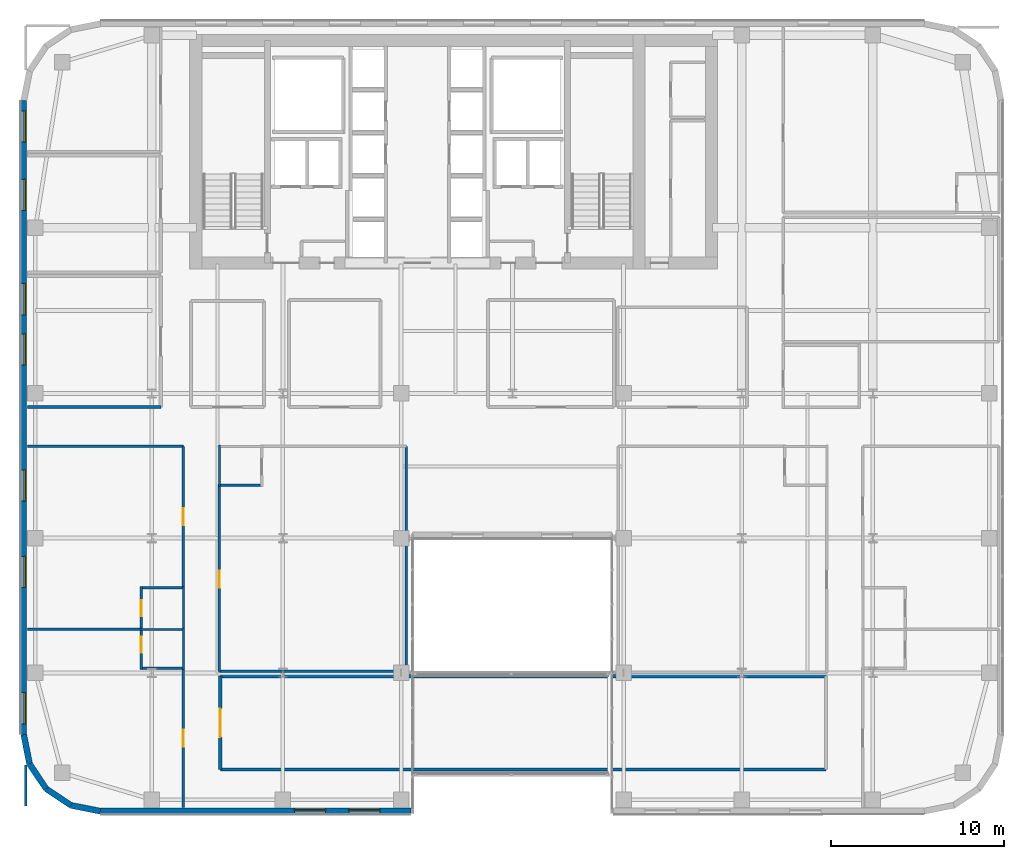
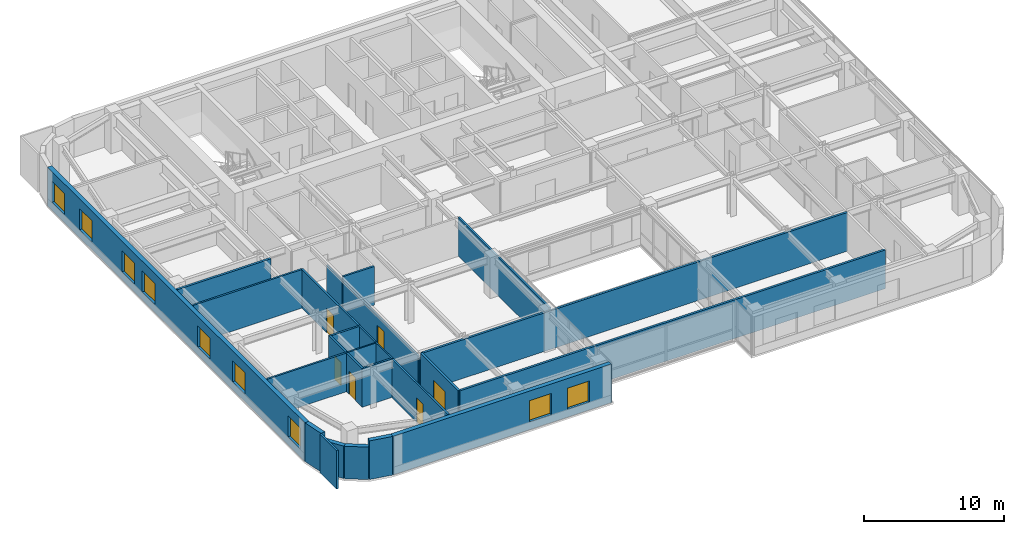
# One storey, part 21 of 31: 27 walls, 9 windows, 6 doors, 15 openings.
"""IFC4 building model written with IfcOpenShell, lengths in metres."""

from ifc_helpers import new_model, si_unit, direction, frame, frame_2d, origin, place, context, subcontext, project, spatial, rectangle, extrude, source, transform, mapped, material, layer, layer_set, type_object, type_shapes, element, fill, save


model = new_model("IFC4")

# Units and contexts
model_context = context("Model", 3, precision=1e-05, world=origin(), true_north=direction((0.0, 1.0)))
body_context = subcontext(model_context, "Body", "Model", "MODEL_VIEW")
ifc_project = project(units=[si_unit("LENGTHUNIT", "METRE"), si_unit("AREAUNIT", "SQUARE_METRE"), si_unit("VOLUMEUNIT", "CUBIC_METRE"), si_unit("PLANEANGLEUNIT", "RADIAN"), si_unit("MASSUNIT", "GRAM", prefix="KILO")], contexts=[model_context])

# Site, building, storey
site_placement = place(None, origin())
site = spatial("IfcSite", under=ifc_project, at=site_placement, CompositionType="ELEMENT")
building_placement = place(site_placement, origin())
building = spatial("IfcBuilding", under=site, at=building_placement, Name="Tolvann Quenvar Hotel", CompositionType="ELEMENT")
storey_placement = place(building_placement, frame((0.0, 0.0, 125.75)))
storey = spatial("IfcBuildingStorey", under=building, at=storey_placement, Name="L32", CompositionType="ELEMENT", Elevation=125.75)

# Walls
ifc_material_1 = material(Name="Kiln-fired red and buff architectural clay brickwork and terracotta masonry", Category="masonry")
ifc_layer_1 = layer(ifc_material_1, 0.35009765625)
ifc_layer_set_1 = layer_set([ifc_layer_1], Name="Kiln-fired red and buff architectural clay brickwork and terracotta masonry")
wall_type_1 = type_object("IfcWallType", Name="WALL_EXT_BRICK_350", PredefinedType="SOLIDWALL", material=ifc_layer_set_1)
for number, where, z_axis, x_axis, name in (
    (1, (0.514892578125, 2.907958984375, 0.0), (0.0, 0.0, 1.0), (0.55554893791, -0.831483840845, 0.0), "Exterior Chicago Brick Wall L32-E01"),
    (2, (1.473388671875, 1.473388671875, 0.0), (0.0, 0.0, 1.0), (0.831483840845, -0.55554893791, 0.0), "Exterior Chicago Brick Wall L32-E02"),
):
    element("IfcWall", number, at=place(storey_placement, frame(where, z_axis=z_axis, x_axis=x_axis)), inside=storey, type_object=wall_type_1, Name=name, PredefinedType="SOLIDWALL", context=body_context, shape_type="SweptSolid", body=[
        extrude(rectangle(XDim=1.725341796875, YDim=0.35009765625, at=frame_2d((0.86279296875, 0.0))), origin(), (0.0, 0.0, 1.0), 2.83203125),
    ])
wall_1_placement = place(storey_placement, frame((2.907958984375, 0.514892578125, 0.0), z_axis=(0.0, 0.0, 1.0), x_axis=(0.980800971659, -0.195011420161, 0.0)))
element("IfcWall", 3, at=wall_1_placement, inside=storey, type_object=wall_type_1, Name="Exterior Chicago Brick Wall L32-E03", PredefinedType="SOLIDWALL", context=body_context, shape_type="SweptSolid", body=[
    extrude(rectangle(XDim=1.74267578125, YDim=0.35009765625, at=frame_2d((0.871337890625, 0.0))), origin(), (0.0, 0.0, 1.0), 3.3701171875),
])

# Wall, openings, windows
wall_2_placement = place(storey_placement, frame((4.6171875, 0.175048828125, 0.0), z_axis=(0.0, 0.0, 1.0), x_axis=(1.0, 0.0, 0.0)))
wall_2 = element("IfcWall", 4, at=wall_2_placement, inside=storey, type_object=wall_type_1, Name="Exterior Chicago Brick Wall L32-E04", PredefinedType="SOLIDWALL", context=body_context, shape_type="SweptSolid", body=[
    extrude(rectangle(XDim=18.0078125, YDim=0.35009765625, at=frame_2d((9.00390625, 0.0))), origin(), (0.0, 0.0, 1.0), 3.3701171875),
])
opening_1_placement = place(wall_2_placement, frame((11.2548828125, 0.0, 0.679931640625)))
opening_1 = element("IfcOpeningElement", 5, at=opening_1_placement, cuts=wall_2, Name="Opening W-03", PredefinedType="OPENING", context=body_context, shape_type="SweptSolid", body=[
    extrude(rectangle(XDim=1.800048828125, YDim=1.85009765625, at=frame_2d((0.89990234375, 0.925048828125))), frame((0.0, 0.18505859375, 0.0), z_axis=(0.0, -1.0, 0.0), x_axis=(1.0, 0.0, 0.0)), (0.0, 0.0, 1.0), 0.3701171875),
])
opening_2_placement = place(wall_2_placement, frame((14.406982421875, 0.0, 0.679931640625)))
opening_2 = element("IfcOpeningElement", 6, at=opening_2_placement, cuts=wall_2, Name="Opening W-03", PredefinedType="OPENING", context=body_context, shape_type="SweptSolid", body=[
    extrude(rectangle(XDim=1.800048828125, YDim=1.85009765625, at=frame_2d((0.89990234375, 0.925048828125))), frame((0.0, 0.18505859375, 0.0), z_axis=(0.0, -1.0, 0.0), x_axis=(1.0, 0.0, 0.0)), (0.0, 0.0, 1.0), 0.3701171875),
])
ifc_material_2 = material(Name="Thermally broken bronze-anodised aluminium frame with double low-E glazing", Category="aluminium")
window_type = type_object("IfcWindowType", Name="WIN_CHI_1800x2050", PartitioningType="TRIPLE_PANEL_HORIZONTAL", PredefinedType="WINDOW", material=ifc_material_2)
shared_shape_1 = source(origin(), body_context, "Body", "SweptSolid", [
    extrude(rectangle(XDim=1.800048828125, YDim=1.85009765625, at=frame_2d((0.89990234375, 0.925048828125))), frame((0.0, 0.090087890625, 0.0), z_axis=(0.0, -1.0, 0.0), x_axis=(1.0, 0.0, 0.0)), (0.0, 0.0, 1.0), 0.06005859375),
])
type_shapes(window_type, [shared_shape_1])
window_1_placement = place(opening_1_placement, origin())
window_1 = element("IfcWindow", 7, at=window_1_placement, inside=storey, type_object=window_type, Name="Chicago Window W-03 (EW-L32-E04-W01)", OverallHeight=1.85009765625, OverallWidth=1.800048828125, PartitioningType="TRIPLE_PANEL_HORIZONTAL", PredefinedType="WINDOW", context=body_context, shape_type="MappedRepresentation", body=[
    mapped(shared_shape_1, transform((0.0, 0.0, 0.0), x_axis=(1.0, 0.0, 0.0), y_axis=(0.0, 1.0, 0.0), z_axis=(0.0, 0.0, 1.0), scale=1.0)),
])
fill(opening_1, window_1)
window_2_placement = place(opening_2_placement, origin())
window_2 = element("IfcWindow", 8, at=window_2_placement, inside=storey, type_object=window_type, Name="Chicago Window W-03 (EW-L32-E04-W02)", OverallHeight=1.85009765625, OverallWidth=1.800048828125, PartitioningType="TRIPLE_PANEL_HORIZONTAL", PredefinedType="WINDOW", context=body_context, shape_type="MappedRepresentation", body=[
    mapped(shared_shape_1, transform((0.0, 0.0, 0.0), x_axis=(1.0, 0.0, 0.0), y_axis=(0.0, 1.0, 0.0), z_axis=(0.0, 0.0, 1.0), scale=1.0)),
])
fill(opening_2, window_2)

wall_3_placement = place(storey_placement, frame((0.175048828125, 41.3828125, 0.0), z_axis=(0.0, 0.0, 1.0), x_axis=(0.0, -1.0, 0.0)))
wall_3 = element("IfcWall", 9, at=wall_3_placement, inside=storey, type_object=wall_type_1, Name="Exterior Chicago Brick Wall L32-E23", PredefinedType="SOLIDWALL", context=body_context, shape_type="SweptSolid", body=[
    extrude(rectangle(XDim=36.765625, YDim=0.35009765625, at=frame_2d((18.3828125, 0.0))), origin(), (0.0, 0.0, 1.0), 3.3701171875),
])
opening_3_placement = place(wall_3_placement, frame((0.6259765625, 0.0, 0.679931640625)))
opening_3 = element("IfcOpeningElement", 10, at=opening_3_placement, cuts=wall_3, Name="Opening W-03", PredefinedType="OPENING", context=body_context, shape_type="SweptSolid", body=[
    extrude(rectangle(XDim=1.800048828125, YDim=1.85009765625, at=frame_2d((0.89990234375, 0.925048828125))), frame((0.0, 0.18505859375, 0.0), z_axis=(0.0, -1.0, 0.0), x_axis=(1.0, 0.0, 0.0)), (0.0, 0.0, 1.0), 0.3701171875),
])
opening_4_placement = place(wall_3_placement, frame((4.577880859375, 0.0, 0.679931640625)))
opening_4 = element("IfcOpeningElement", 11, at=opening_4_placement, cuts=wall_3, Name="Opening W-03", PredefinedType="OPENING", context=body_context, shape_type="SweptSolid", body=[
    extrude(rectangle(XDim=1.800048828125, YDim=1.85009765625, at=frame_2d((0.89990234375, 0.925048828125))), frame((0.0, 0.18505859375, 0.0), z_axis=(0.0, -1.0, 0.0), x_axis=(1.0, 0.0, 0.0)), (0.0, 0.0, 1.0), 0.3701171875),
])
opening_5_placement = place(wall_3_placement, frame((10.62890625, 0.0, 0.679931640625)))
opening_5 = element("IfcOpeningElement", 12, at=opening_5_placement, cuts=wall_3, Name="Opening W-03", PredefinedType="OPENING", context=body_context, shape_type="SweptSolid", body=[
    extrude(rectangle(XDim=1.800048828125, YDim=1.85009765625, at=frame_2d((0.89990234375, 0.925048828125))), frame((0.0, 0.18505859375, 0.0), z_axis=(0.0, -1.0, 0.0), x_axis=(1.0, 0.0, 0.0)), (0.0, 0.0, 1.0), 0.3701171875),
])
opening_6_placement = place(wall_3_placement, frame((13.531005859375, 0.0, 0.679931640625)))
opening_6 = element("IfcOpeningElement", 13, at=opening_6_placement, cuts=wall_3, Name="Opening W-03", PredefinedType="OPENING", context=body_context, shape_type="SweptSolid", body=[
    extrude(rectangle(XDim=1.800048828125, YDim=1.85009765625, at=frame_2d((0.89990234375, 0.925048828125))), frame((0.0, 0.18505859375, 0.0), z_axis=(0.0, -1.0, 0.0), x_axis=(1.0, 0.0, 0.0)), (0.0, 0.0, 1.0), 0.3701171875),
])
opening_7_placement = place(wall_3_placement, frame((21.43505859375, 0.0, 0.679931640625)))
opening_7 = element("IfcOpeningElement", 14, at=opening_7_placement, cuts=wall_3, Name="Opening W-03", PredefinedType="OPENING", context=body_context, shape_type="SweptSolid", body=[
    extrude(rectangle(XDim=1.800048828125, YDim=1.85009765625, at=frame_2d((0.89990234375, 0.925048828125))), frame((0.0, 0.18505859375, 0.0), z_axis=(0.0, -1.0, 0.0), x_axis=(1.0, 0.0, 0.0)), (0.0, 0.0, 1.0), 0.3701171875),
])
opening_8_placement = place(wall_3_placement, frame((26.43603515625, 0.0, 0.679931640625)))
opening_8 = element("IfcOpeningElement", 15, at=opening_8_placement, cuts=wall_3, Name="Opening W-03", PredefinedType="OPENING", context=body_context, shape_type="SweptSolid", body=[
    extrude(rectangle(XDim=1.800048828125, YDim=1.85009765625, at=frame_2d((0.89990234375, 0.925048828125))), frame((0.0, 0.18505859375, 0.0), z_axis=(0.0, -1.0, 0.0), x_axis=(1.0, 0.0, 0.0)), (0.0, 0.0, 1.0), 0.3701171875),
])
opening_9_placement = place(wall_3_placement, frame((34.340087890625, 0.0, 0.679931640625)))
opening_9 = element("IfcOpeningElement", 16, at=opening_9_placement, cuts=wall_3, Name="Opening W-03", PredefinedType="OPENING", context=body_context, shape_type="SweptSolid", body=[
    extrude(rectangle(XDim=1.800048828125, YDim=1.85009765625, at=frame_2d((0.89990234375, 0.925048828125))), frame((0.0, 0.18505859375, 0.0), z_axis=(0.0, -1.0, 0.0), x_axis=(1.0, 0.0, 0.0)), (0.0, 0.0, 1.0), 0.3701171875),
])
window_3_placement = place(opening_3_placement, origin())
window_3 = element("IfcWindow", 17, at=window_3_placement, inside=storey, type_object=window_type, Name="Chicago Window W-03 (EW-L32-E23-W01)", OverallHeight=1.85009765625, OverallWidth=1.800048828125, PartitioningType="TRIPLE_PANEL_HORIZONTAL", PredefinedType="WINDOW", context=body_context, shape_type="MappedRepresentation", body=[
    mapped(shared_shape_1, transform((0.0, 0.0, 0.0), x_axis=(1.0, 0.0, 0.0), y_axis=(0.0, 1.0, 0.0), z_axis=(0.0, 0.0, 1.0), scale=1.0)),
])
fill(opening_3, window_3)
window_4_placement = place(opening_4_placement, origin())
window_4 = element("IfcWindow", 18, at=window_4_placement, inside=storey, type_object=window_type, Name="Chicago Window W-03 (EW-L32-E23-W02)", OverallHeight=1.85009765625, OverallWidth=1.800048828125, PartitioningType="TRIPLE_PANEL_HORIZONTAL", PredefinedType="WINDOW", context=body_context, shape_type="MappedRepresentation", body=[
    mapped(shared_shape_1, transform((0.0, 0.0, 0.0), x_axis=(1.0, 0.0, 0.0), y_axis=(0.0, 1.0, 0.0), z_axis=(0.0, 0.0, 1.0), scale=1.0)),
])
fill(opening_4, window_4)
window_5_placement = place(opening_5_placement, origin())
window_5 = element("IfcWindow", 19, at=window_5_placement, inside=storey, type_object=window_type, Name="Chicago Window W-03 (EW-L32-E23-W03)", OverallHeight=1.85009765625, OverallWidth=1.800048828125, PartitioningType="TRIPLE_PANEL_HORIZONTAL", PredefinedType="WINDOW", context=body_context, shape_type="MappedRepresentation", body=[
    mapped(shared_shape_1, transform((0.0, 0.0, 0.0), x_axis=(1.0, 0.0, 0.0), y_axis=(0.0, 1.0, 0.0), z_axis=(0.0, 0.0, 1.0), scale=1.0)),
])
fill(opening_5, window_5)
window_6_placement = place(opening_6_placement, origin())
window_6 = element("IfcWindow", 20, at=window_6_placement, inside=storey, type_object=window_type, Name="Chicago Window W-03 (EW-L32-E23-W04)", OverallHeight=1.85009765625, OverallWidth=1.800048828125, PartitioningType="TRIPLE_PANEL_HORIZONTAL", PredefinedType="WINDOW", context=body_context, shape_type="MappedRepresentation", body=[
    mapped(shared_shape_1, transform((0.0, 0.0, 0.0), x_axis=(1.0, 0.0, 0.0), y_axis=(0.0, 1.0, 0.0), z_axis=(0.0, 0.0, 1.0), scale=1.0)),
])
fill(opening_6, window_6)
window_7_placement = place(opening_7_placement, origin())
window_7 = element("IfcWindow", 21, at=window_7_placement, inside=storey, type_object=window_type, Name="Chicago Window W-03 (EW-L32-E23-W05)", OverallHeight=1.85009765625, OverallWidth=1.800048828125, PartitioningType="TRIPLE_PANEL_HORIZONTAL", PredefinedType="WINDOW", context=body_context, shape_type="MappedRepresentation", body=[
    mapped(shared_shape_1, transform((0.0, 0.0, 0.0), x_axis=(1.0, 0.0, 0.0), y_axis=(0.0, 1.0, 0.0), z_axis=(0.0, 0.0, 1.0), scale=1.0)),
])
fill(opening_7, window_7)
window_8_placement = place(opening_8_placement, origin())
window_8 = element("IfcWindow", 22, at=window_8_placement, inside=storey, type_object=window_type, Name="Chicago Window W-03 (EW-L32-E23-W06)", OverallHeight=1.85009765625, OverallWidth=1.800048828125, PartitioningType="TRIPLE_PANEL_HORIZONTAL", PredefinedType="WINDOW", context=body_context, shape_type="MappedRepresentation", body=[
    mapped(shared_shape_1, transform((0.0, 0.0, 0.0), x_axis=(1.0, 0.0, 0.0), y_axis=(0.0, 1.0, 0.0), z_axis=(0.0, 0.0, 1.0), scale=1.0)),
])
fill(opening_8, window_8)
window_9_placement = place(opening_9_placement, origin())
window_9 = element("IfcWindow", 23, at=window_9_placement, inside=storey, type_object=window_type, Name="Chicago Window W-03 (EW-L32-E23-W07)", OverallHeight=1.85009765625, OverallWidth=1.800048828125, PartitioningType="TRIPLE_PANEL_HORIZONTAL", PredefinedType="WINDOW", context=body_context, shape_type="MappedRepresentation", body=[
    mapped(shared_shape_1, transform((0.0, 0.0, 0.0), x_axis=(1.0, 0.0, 0.0), y_axis=(0.0, 1.0, 0.0), z_axis=(0.0, 0.0, 1.0), scale=1.0)),
])
fill(opening_9, window_9)

# Walls
wall_4_placement = place(storey_placement, frame((0.175048828125, 4.6171875, 0.0), z_axis=(0.0, 0.0, 1.0), x_axis=(0.195011420161, -0.980800971659, 0.0)))
element("IfcWall", 24, at=wall_4_placement, inside=storey, type_object=wall_type_1, Name="Exterior Chicago Brick Wall L32-E24", PredefinedType="SOLIDWALL", context=body_context, shape_type="SweptSolid", body=[
    extrude(rectangle(XDim=1.74267578125, YDim=0.35009765625, at=frame_2d((0.871337890625, 0.0))), origin(), (0.0, 0.0, 1.0), 3.3701171875),
])
ifc_material_3 = material(Name="Acoustic twin-stud fire-rated gypsum plasterboard partition")
ifc_layer_2 = layer(ifc_material_3, 0.179931640625)
ifc_layer_set_2 = layer_set([ifc_layer_2], Name="Acoustic twin-stud fire-rated gypsum plasterboard partition")
wall_type_2 = type_object("IfcWallType", Name="WALL_PART_ACOUSTIC_180", PredefinedType="PARTITIONING", material=ifc_layer_set_2)
wall_5_placement = place(storey_placement, frame((0.405029296875, 23.60009765625, 0.0), z_axis=(0.0, 0.0, 1.0), x_axis=(1.0, 0.0, 0.0)))
element("IfcWall", 25, at=wall_5_placement, inside=storey, type_object=wall_type_2, Name="Interior Partition PT-SPC-L32-SAL-S", PredefinedType="PARTITIONING", context=body_context, shape_type="SweptSolid", body=[
    extrude(rectangle(XDim=7.715087890625, YDim=0.179931640625, at=frame_2d((3.857421875, 0.0))), origin(), (0.0, 0.0, 1.0), 3.3701171875),
])
for number, where, z_axis, x_axis, name in (
    (26, (11.570068359375, 2.60009765625, 0.0), (0.0, 0.0, 1.0), (1.0, 0.0, 0.0), "Interior Partition PT-SPC-L32-BRG-S"),
    (27, (11.570068359375, 8.0, 0.0), (0.0, 0.0, 1.0), (1.0, 0.0, 0.0), "Interior Partition PT-SPC-L32-BRG-N"),
):
    element("IfcWall", number, at=place(storey_placement, frame(where, z_axis=z_axis, x_axis=x_axis)), inside=storey, type_object=wall_type_2, Name=name, PredefinedType="PARTITIONING", context=body_context, shape_type="SweptSolid", body=[
        extrude(rectangle(XDim=35.10986328125, YDim=0.179931640625, at=frame_2d((17.554931640625, 0.0))), origin(), (0.0, 0.0, 1.0), 3.3701171875),
    ])

# Wall, opening, door
wall_6_placement = place(storey_placement, frame((11.570068359375, 2.60009765625, 0.0), z_axis=(0.0, 0.0, 1.0), x_axis=(0.0, 1.0, 0.0)))
wall_6 = element("IfcWall", 28, at=wall_6_placement, inside=storey, type_object=wall_type_2, Name="Interior Partition PT-SPC-L32-BRG-W", PredefinedType="PARTITIONING", context=body_context, shape_type="SweptSolid", body=[
    extrude(rectangle(XDim=5.39990234375, YDim=0.179931640625, at=frame_2d((2.699951171875, 0.0))), origin(), (0.0, 0.0, 1.0), 3.3701171875),
])
opening_10_placement = place(wall_6_placement, frame((1.875, 0.0, 0.0)))
opening_10 = element("IfcOpeningElement", 29, at=opening_10_placement, cuts=wall_6, Name="Opening AD-01", PredefinedType="OPENING", context=body_context, shape_type="SweptSolid", body=[
    extrude(rectangle(XDim=1.64990234375, YDim=2.14990234375, at=frame_2d((0.824951171875, 1.074951171875))), frame((0.0, 0.10009765625, 0.0), z_axis=(0.0, -1.0, 0.0), x_axis=(1.0, 0.0, 0.0)), (0.0, 0.0, 1.0), 0.199951171875),
])
ifc_material_4 = material(Name="Solid-core American oak acoustic fire door leaf in steel frame", Category="steel")
door_type_1 = type_object("IfcDoorType", Name="DOOR_SALON_1650", OperationType="NOTDEFINED", PredefinedType="DOOR", material=ifc_material_4)
shared_shape_2 = source(origin(), body_context, "Body", "SweptSolid", [
    extrude(rectangle(XDim=1.64990234375, YDim=2.14990234375, at=frame_2d((0.824951171875, 1.074951171875))), frame((0.0, 0.02490234375, 0.0), z_axis=(0.0, -1.0, 0.0), x_axis=(1.0, 0.0, 0.0)), (0.0, 0.0, 1.0), 0.050048828125),
])
type_shapes(door_type_1, [shared_shape_2])
door_1_placement = place(opening_10_placement, origin())
door_1 = element("IfcDoor", 30, at=door_1_placement, inside=storey, type_object=door_type_1, Name="Interior Door DOOR-SPC-L32-BRG", OperationType="DOUBLE_DOOR_SINGLE_SWING", OverallHeight=2.14990234375, OverallWidth=1.64990234375, PredefinedType="DOOR", context=body_context, shape_type="MappedRepresentation", body=[
    mapped(shared_shape_2, transform((0.0, 0.0, 0.0), x_axis=(1.0, 0.0, 0.0), y_axis=(0.0, 1.0, 0.0), z_axis=(0.0, 0.0, 1.0), scale=1.0)),
])
fill(opening_10, door_1)

# Walls
ifc_material_5 = material(Name="Moisture-resistant acoustic plumbing wall assembly")
ifc_layer_3 = layer(ifc_material_5, 0.1201171875)
ifc_layer_set_3 = layer_set([ifc_layer_3], Name="Moisture-resistant acoustic plumbing wall assembly")
wall_type_3 = type_object("IfcWallType", Name="WALL_PART_BATH_120", PredefinedType="PLUMBINGWALL", material=ifc_layer_set_3)
wall_7_placement = place(storey_placement, frame((6.909912109375, 10.719970703125, 0.0), z_axis=(0.0, 0.0, 1.0), x_axis=(1.0, 0.0, 0.0)))
element("IfcWall", 31, at=wall_7_placement, inside=storey, type_object=wall_type_3, Name="Non-Rated Plumbing Partition PT-SPC-L32-ENS-WO01-N", PredefinedType="PLUMBINGWALL", context=body_context, shape_type="SweptSolid", body=[
    extrude(rectangle(XDim=2.590087890625, YDim=0.1201171875, at=frame_2d((1.294921875, 0.0))), origin(), (0.0, 0.0, 1.0), 3.3701171875),
])
wall_8_placement = place(storey_placement, frame((9.429931640625, 8.39990234375, 0.0), z_axis=(0.0, 0.0, 1.0), x_axis=(0.0, 1.0, 0.0)))
element("IfcWall", 32, at=wall_8_placement, inside=storey, type_object=wall_type_3, Name="Non-Rated Plumbing Partition PT-SPC-L32-ENS-WO01-E", PredefinedType="PLUMBINGWALL", context=body_context, shape_type="SweptSolid", body=[
    extrude(rectangle(XDim=2.39013671875, YDim=0.1201171875, at=frame_2d((1.195068359375, 0.0))), origin(), (0.0, 0.0, 1.0), 3.3701171875),
])
wall_9_placement = place(storey_placement, frame((9.429931640625, 10.81005859375, 0.0), z_axis=(0.0, 0.0, 1.0), x_axis=(0.0, 1.0, 0.0)))
element("IfcWall", 33, at=wall_9_placement, inside=storey, type_object=wall_type_3, Name="Non-Rated Plumbing Partition PT-SPC-L32-ENS-WO02-E", PredefinedType="PLUMBINGWALL", context=body_context, shape_type="SweptSolid", body=[
    extrude(rectangle(XDim=2.389892578125, YDim=0.1201171875, at=frame_2d((1.19482421875, 0.0))), origin(), (0.0, 0.0, 1.0), 3.3701171875),
])
wall_10_placement = place(storey_placement, frame((11.52001953125, 19.0, 0.0), z_axis=(0.0, 0.0, 1.0), x_axis=(0.0, 1.0, 0.0)))
element("IfcWall", 34, at=wall_10_placement, inside=storey, type_object=wall_type_3, Name="Non-Rated Plumbing Partition PT-SPC-L32-ENS-WI01-W", PredefinedType="PLUMBINGWALL", context=body_context, shape_type="SweptSolid", body=[
    extrude(rectangle(XDim=2.389892578125, YDim=0.1201171875, at=frame_2d((1.19482421875, 0.0))), origin(), (0.0, 0.0, 1.0), 2.9541015625),
])

# Wall, opening, door
ifc_layer_4 = layer(ifc_material_3, 0.14990234375)
ifc_layer_set_4 = layer_set([ifc_layer_4], Name="Acoustic twin-stud fire-rated gypsum plasterboard partition")
wall_type_4 = type_object("IfcWallType", Name="WALL_PART_SUITE_150", PredefinedType="PARTITIONING", material=ifc_layer_set_4)
wall_11_placement = place(storey_placement, frame((6.97998046875, 8.39990234375, 0.0), z_axis=(0.0, 0.0, 1.0), x_axis=(0.0, 1.0, 0.0)))
wall_11 = element("IfcWall", 35, at=wall_11_placement, inside=storey, type_object=wall_type_4, Name="Interior Partition PT-SPC-L32-ENS-WO01-ENT", PredefinedType="PARTITIONING", context=body_context, shape_type="SweptSolid", body=[
    extrude(rectangle(XDim=2.39013671875, YDim=0.14990234375, at=frame_2d((1.195068359375, 0.0))), origin(), (0.0, 0.0, 1.0), 3.3701171875),
])
opening_11_placement = place(wall_11_placement, frame((0.965087890625, 0.0, 0.0)))
opening_11 = element("IfcOpeningElement", 36, at=opening_11_placement, cuts=wall_11, Name="Opening WD-01", PredefinedType="OPENING", context=body_context, shape_type="SweptSolid", body=[
    extrude(rectangle(XDim=0.919921875, YDim=2.010009765625, at=frame_2d((0.4599609375, 1.0048828125))), frame((0.0, 0.0849609375, 0.0), z_axis=(0.0, -1.0, 0.0), x_axis=(1.0, 0.0, 0.0)), (0.0, 0.0, 1.0), 0.169921875),
])
door_type_2 = type_object("IfcDoorType", Name="DOOR_WC_920", OperationType="NOTDEFINED", PredefinedType="DOOR", material=ifc_material_4)
shared_shape_3 = source(origin(), body_context, "Body", "SweptSolid", [
    extrude(rectangle(XDim=0.919921875, YDim=2.010009765625, at=frame_2d((0.4599609375, 1.0048828125))), frame((0.0, 0.02490234375, 0.0), z_axis=(0.0, -1.0, 0.0), x_axis=(1.0, 0.0, 0.0)), (0.0, 0.0, 1.0), 0.050048828125),
])
type_shapes(door_type_2, [shared_shape_3])
door_2_placement = place(opening_11_placement, origin())
door_2 = element("IfcDoor", 37, at=door_2_placement, inside=storey, type_object=door_type_2, Name="Interior Door DOOR-SPC-L32-ENS-WO01", OperationType="SINGLE_SWING_LEFT", OverallHeight=2.010009765625, OverallWidth=0.919921875, PredefinedType="DOOR", context=body_context, shape_type="MappedRepresentation", body=[
    mapped(shared_shape_3, transform((0.0, 0.0, 0.0), x_axis=(1.0, 0.0, 0.0), y_axis=(0.0, 1.0, 0.0), z_axis=(0.0, 0.0, 1.0), scale=1.0)),
])
fill(opening_11, door_2)

# Wall
wall_12_placement = place(storey_placement, frame((6.909912109375, 8.469970703125, 0.0), z_axis=(0.0, 0.0, 1.0), x_axis=(1.0, 0.0, 0.0)))
element("IfcWall", 38, at=wall_12_placement, inside=storey, type_object=wall_type_4, Name="Interior Partition PT-SPC-L32-ENS-WO01-S", PredefinedType="PARTITIONING", context=body_context, shape_type="SweptSolid", body=[
    extrude(rectangle(XDim=2.590087890625, YDim=0.14990234375, at=frame_2d((1.294921875, 0.0))), origin(), (0.0, 0.0, 1.0), 3.3701171875),
])

# Wall, opening, door
wall_13_placement = place(storey_placement, frame((6.97998046875, 10.81005859375, 0.0), z_axis=(0.0, 0.0, 1.0), x_axis=(0.0, 1.0, 0.0)))
wall_13 = element("IfcWall", 39, at=wall_13_placement, inside=storey, type_object=wall_type_4, Name="Interior Partition PT-SPC-L32-ENS-WO02-ENT", PredefinedType="PARTITIONING", context=body_context, shape_type="SweptSolid", body=[
    extrude(rectangle(XDim=2.389892578125, YDim=0.14990234375, at=frame_2d((1.19482421875, 0.0))), origin(), (0.0, 0.0, 1.0), 3.3701171875),
])
opening_12_placement = place(wall_13_placement, frame((0.6650390625, 0.0, 0.0)))
opening_12 = element("IfcOpeningElement", 40, at=opening_12_placement, cuts=wall_13, Name="Opening WD-01", PredefinedType="OPENING", context=body_context, shape_type="SweptSolid", body=[
    extrude(rectangle(XDim=0.919921875, YDim=2.010009765625, at=frame_2d((0.4599609375, 1.0048828125))), frame((0.0, 0.0849609375, 0.0), z_axis=(0.0, -1.0, 0.0), x_axis=(1.0, 0.0, 0.0)), (0.0, 0.0, 1.0), 0.169921875),
])
door_3_placement = place(opening_12_placement, origin())
door_3 = element("IfcDoor", 41, at=door_3_placement, inside=storey, type_object=door_type_2, Name="Interior Door DOOR-SPC-L32-ENS-WO02", OperationType="SINGLE_SWING_RIGHT", OverallHeight=2.010009765625, OverallWidth=0.919921875, PredefinedType="DOOR", context=body_context, shape_type="MappedRepresentation", body=[
    mapped(shared_shape_3, transform((0.0, 0.0, 0.0), x_axis=(1.0, 0.0, 0.0), y_axis=(0.0, 1.0, 0.0), z_axis=(0.0, 0.0, 1.0), scale=1.0)),
])
fill(opening_12, door_3)

# Walls
for number, where, z_axis, x_axis, name in (
    (42, (6.909912109375, 13.1298828125, 0.0), (0.0, 0.0, 1.0), (1.0, 0.0, 0.0), "Interior Partition PT-SPC-L32-ENS-WO02-N"),
    (43, (11.449951171875, 19.070068359375, 0.0), (0.0, 0.0, 1.0), (1.0, 0.0, 0.0), "Interior Partition PT-SPC-L32-ENS-WI01-S"),
):
    element("IfcWall", number, at=place(storey_placement, frame(where, z_axis=z_axis, x_axis=x_axis)), inside=storey, type_object=wall_type_4, Name=name, PredefinedType="PARTITIONING", context=body_context, shape_type="SweptSolid", body=[
        extrude(rectangle(XDim=2.590087890625, YDim=0.14990234375, at=frame_2d((1.294921875, 0.0))), origin(), (0.0, 0.0, 1.0), 3.3701171875),
    ])

# Wall, opening, door
wall_14_placement = place(storey_placement, frame((9.429931640625, 0.405029296875, 0.0), z_axis=(0.0, 0.0, 1.0), x_axis=(0.0, 1.0, 0.0)))
wall_14 = element("IfcWall", 44, at=wall_14_placement, inside=storey, type_object=wall_type_4, Name="Interior Partition PT-SPC-L32-RM-WO01-ENT", PredefinedType="PARTITIONING", context=body_context, shape_type="SweptSolid", body=[
    extrude(rectangle(XDim=7.98486328125, YDim=0.14990234375, at=frame_2d((3.992431640625, 0.0))), origin(), (0.0, 0.0, 1.0), 3.3701171875),
])
opening_13_placement = place(wall_14_placement, frame((3.510009765625, 0.0, 0.0)))
opening_13 = element("IfcOpeningElement", 45, at=opening_13_placement, cuts=wall_14, Name="Opening SD-01", PredefinedType="OPENING", context=body_context, shape_type="SweptSolid", body=[
    extrude(rectangle(XDim=0.97998046875, YDim=2.1201171875, at=frame_2d((0.489990234375, 1.06005859375))), frame((0.0, 0.0849609375, 0.0), z_axis=(0.0, -1.0, 0.0), x_axis=(1.0, 0.0, 0.0)), (0.0, 0.0, 1.0), 0.169921875),
])
door_type_3 = type_object("IfcDoorType", Name="DOOR_SUITE_980", OperationType="NOTDEFINED", PredefinedType="DOOR", material=ifc_material_4)
shared_shape_4 = source(origin(), body_context, "Body", "SweptSolid", [
    extrude(rectangle(XDim=0.97998046875, YDim=2.1201171875, at=frame_2d((0.489990234375, 1.06005859375))), frame((0.0, 0.02490234375, 0.0), z_axis=(0.0, -1.0, 0.0), x_axis=(1.0, 0.0, 0.0)), (0.0, 0.0, 1.0), 0.050048828125),
])
type_shapes(door_type_3, [shared_shape_4])
door_4_placement = place(opening_13_placement, origin())
door_4 = element("IfcDoor", 46, at=door_4_placement, inside=storey, type_object=door_type_3, Name="Interior Door DOOR-SPC-L32-RM-WO01", OperationType="SINGLE_SWING_RIGHT", OverallHeight=2.1201171875, OverallWidth=0.97998046875, PredefinedType="DOOR", context=body_context, shape_type="MappedRepresentation", body=[
    mapped(shared_shape_4, transform((0.0, 0.0, 0.0), x_axis=(1.0, 0.0, 0.0), y_axis=(0.0, 1.0, 0.0), z_axis=(0.0, 0.0, 1.0), scale=1.0)),
])
fill(opening_13, door_4)

# Walls
wall_15_placement = place(storey_placement, frame((0.405029296875, 10.719970703125, 0.0), z_axis=(0.0, 0.0, 1.0), x_axis=(1.0, 0.0, 0.0)))
element("IfcWall", 47, at=wall_15_placement, inside=storey, type_object=wall_type_4, Name="Interior Partition PT-SPC-L32-RM-WO01-E5", PredefinedType="PARTITIONING", context=body_context, shape_type="SweptSolid", body=[
    extrude(rectangle(XDim=6.554931640625, YDim=0.14990234375, at=frame_2d((3.27734375, 0.0))), origin(), (0.0, 0.0, 1.0), 3.3701171875),
])
wall_16_placement = place(storey_placement, frame((0.300048828125, 0.47998046875, 0.0), z_axis=(0.0, 0.0, 1.0), x_axis=(0.0, 1.0, 0.0)))
element("IfcWall", 48, at=wall_16_placement, inside=storey, type_object=wall_type_4, Name="Interior Partition PT-SPC-L32-RM-WO01-E6", PredefinedType="PARTITIONING", context=body_context, shape_type="SweptSolid", body=[
    extrude(rectangle(XDim=2.385009765625, YDim=0.14990234375, at=frame_2d((1.1923828125, 0.0))), origin(), (0.0, 0.0, 1.0), 3.3701171875),
])

# Wall, opening, door
wall_17_placement = place(storey_placement, frame((9.429931640625, 13.2099609375, 0.0), z_axis=(0.0, 0.0, 1.0), x_axis=(0.0, 1.0, 0.0)))
wall_17 = element("IfcWall", 49, at=wall_17_placement, inside=storey, type_object=wall_type_4, Name="Interior Partition PT-SPC-L32-RM-WO02-ENT", PredefinedType="PARTITIONING", context=body_context, shape_type="SweptSolid", body=[
    extrude(rectangle(XDim=8.110107421875, YDim=0.14990234375, at=frame_2d((4.05517578125, 0.0))), origin(), (0.0, 0.0, 1.0), 3.3701171875),
])
opening_14_placement = place(wall_17_placement, frame((3.544921875, 0.0, 0.0)))
opening_14 = element("IfcOpeningElement", 50, at=opening_14_placement, cuts=wall_17, Name="Opening SD-01", PredefinedType="OPENING", context=body_context, shape_type="SweptSolid", body=[
    extrude(rectangle(XDim=0.97998046875, YDim=2.1201171875, at=frame_2d((0.489990234375, 1.06005859375))), frame((0.0, 0.0849609375, 0.0), z_axis=(0.0, -1.0, 0.0), x_axis=(1.0, 0.0, 0.0)), (0.0, 0.0, 1.0), 0.169921875),
])
door_5_placement = place(opening_14_placement, origin())
door_5 = element("IfcDoor", 51, at=door_5_placement, inside=storey, type_object=door_type_3, Name="Interior Door DOOR-SPC-L32-RM-WO02", OperationType="SINGLE_SWING_LEFT", OverallHeight=2.1201171875, OverallWidth=0.97998046875, PredefinedType="DOOR", context=body_context, shape_type="MappedRepresentation", body=[
    mapped(shared_shape_4, transform((0.0, 0.0, 0.0), x_axis=(1.0, 0.0, 0.0), y_axis=(0.0, 1.0, 0.0), z_axis=(0.0, 0.0, 1.0), scale=1.0)),
])
fill(opening_14, door_5)

# Wall
wall_18_placement = place(storey_placement, frame((0.405029296875, 21.320068359375, 0.0), z_axis=(0.0, 0.0, 1.0), x_axis=(1.0, 0.0, 0.0)))
element("IfcWall", 52, at=wall_18_placement, inside=storey, type_object=wall_type_4, Name="Interior Partition PT-SPC-L32-RM-WO02-E5", PredefinedType="PARTITIONING", context=body_context, shape_type="SweptSolid", body=[
    extrude(rectangle(XDim=9.02490234375, YDim=0.14990234375, at=frame_2d((4.512451171875, 0.0))), origin(), (0.0, 0.0, 1.0), 3.3701171875),
])

# Wall, opening, door
wall_19_placement = place(storey_placement, frame((11.52001953125, 8.280029296875, 0.0), z_axis=(0.0, 0.0, 1.0), x_axis=(0.0, 1.0, 0.0)))
wall_19 = element("IfcWall", 53, at=wall_19_placement, inside=storey, type_object=wall_type_4, Name="Interior Partition PT-SPC-L32-RM-WI01-ENT", PredefinedType="PARTITIONING", context=body_context, shape_type="SweptSolid", body=[
    extrude(rectangle(XDim=10.7099609375, YDim=0.14990234375, at=frame_2d((5.35498046875, 0.0))), origin(), (0.0, 0.0, 1.0), 2.9541015625),
])
opening_15_placement = place(wall_19_placement, frame((4.844970703125, 0.0, 0.0)))
opening_15 = element("IfcOpeningElement", 54, at=opening_15_placement, cuts=wall_19, Name="Opening SD-01", PredefinedType="OPENING", context=body_context, shape_type="SweptSolid", body=[
    extrude(rectangle(XDim=0.97998046875, YDim=2.1201171875, at=frame_2d((0.489990234375, 1.06005859375))), frame((0.0, 0.0849609375, 0.0), z_axis=(0.0, -1.0, 0.0), x_axis=(1.0, 0.0, 0.0)), (0.0, 0.0, 1.0), 0.169921875),
])
door_6_placement = place(opening_15_placement, origin())
door_6 = element("IfcDoor", 55, at=door_6_placement, inside=storey, type_object=door_type_3, Name="Interior Door DOOR-SPC-L32-RM-WI01", OperationType="SINGLE_SWING_RIGHT", OverallHeight=2.1201171875, OverallWidth=0.97998046875, PredefinedType="DOOR", context=body_context, shape_type="MappedRepresentation", body=[
    mapped(shared_shape_4, transform((0.0, 0.0, 0.0), x_axis=(1.0, 0.0, 0.0), y_axis=(0.0, 1.0, 0.0), z_axis=(0.0, 0.0, 1.0), scale=1.0)),
])
fill(opening_15, door_6)

# Walls
wall_20_placement = place(storey_placement, frame((11.52001953125, 8.280029296875, 0.0), z_axis=(0.0, 0.0, 1.0), x_axis=(1.0, 0.0, 0.0)))
element("IfcWall", 56, at=wall_20_placement, inside=storey, type_object=wall_type_4, Name="Interior Partition PT-SPC-L32-RM-WI01-E1", PredefinedType="PARTITIONING", context=body_context, shape_type="SweptSolid", body=[
    extrude(rectangle(XDim=10.830078125, YDim=0.14990234375, at=frame_2d((5.4150390625, 0.0))), origin(), (0.0, 0.0, 1.0), 2.748046875),
])
wall_21_placement = place(storey_placement, frame((22.35009765625, 8.280029296875, 0.0), z_axis=(0.0, 0.0, 1.0), x_axis=(0.0, 1.0, 0.0)))
element("IfcWall", 57, at=wall_21_placement, inside=storey, type_object=wall_type_4, Name="Interior Partition PT-SPC-L32-RM-WI01-E2", PredefinedType="PARTITIONING", context=body_context, shape_type="SweptSolid", body=[
    extrude(rectangle(XDim=13.0400390625, YDim=0.14990234375, at=frame_2d((6.52001953125, 0.0))), origin(), (0.0, 0.0, 1.0), 3.3701171875),
])

save(model, "model.ifc")
